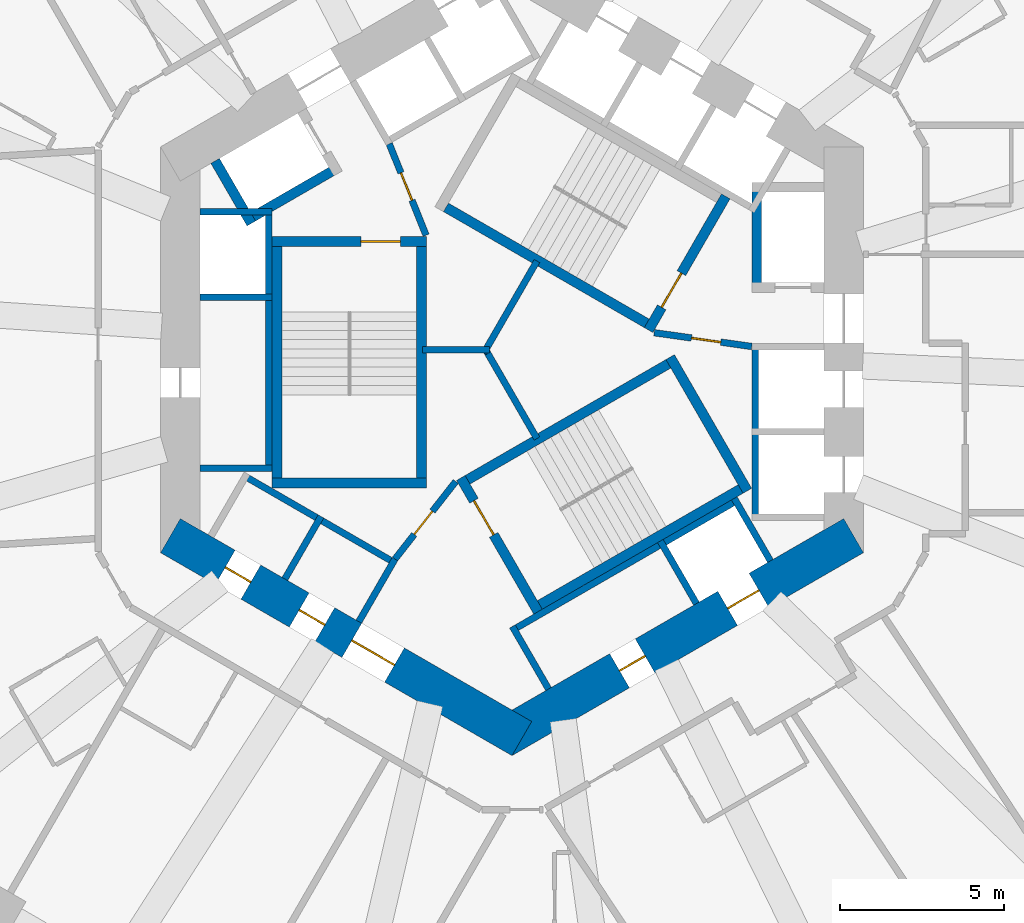
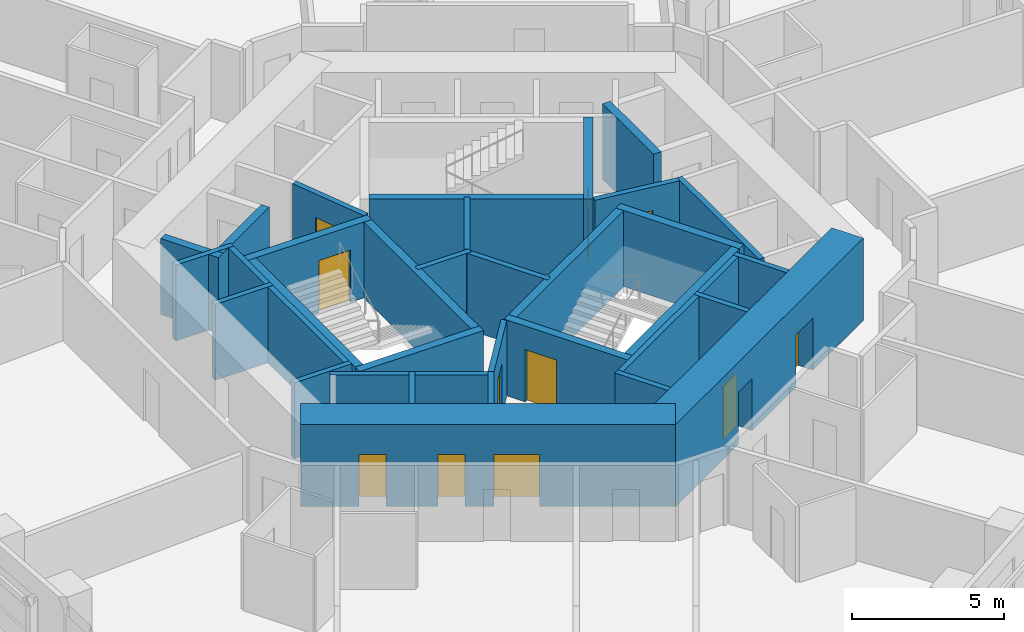
# One storey, part 5 of 12: 33 walls, 11 doors, 11 openings.
"""IFC4 building model written with IfcOpenShell, lengths in metres."""

from ifc_helpers import new_model, si_unit, direction, frame, frame_2d, origin, place, context, subcontext, project, spatial, rectangle, extrude, material, layer, layer_set, type_object, element, fill, save


model = new_model("IFC4")

# Units and contexts
model_context = context("Model", 3, precision=1e-05, world=origin(), true_north=direction((0.0, 1.0)))
body_context = subcontext(model_context, "Body", "Model", "MODEL_VIEW")
ifc_project = project(units=[si_unit("LENGTHUNIT", "METRE"), si_unit("AREAUNIT", "SQUARE_METRE"), si_unit("VOLUMEUNIT", "CUBIC_METRE"), si_unit("PLANEANGLEUNIT", "RADIAN"), si_unit("MASSUNIT", "GRAM", prefix="KILO")], contexts=[model_context])

# Site, building, storey
site_placement = place(None, origin())
site = spatial("IfcSite", under=ifc_project, at=site_placement, CompositionType="ELEMENT")
building_placement = place(site_placement, origin())
building = spatial("IfcBuilding", under=site, at=building_placement, Name="Vanh Sen Convention Tower", CompositionType="ELEMENT")
storey_placement = place(building_placement, frame((0.0, 0.0, 110.0)))
storey = spatial("IfcBuildingStorey", under=building, at=storey_placement, Name="L26", CompositionType="ELEMENT", Elevation=110.0)

# Wall, openings, doors
ifc_material_1 = material(Name="Concrete C80/95", Category="concrete")
ifc_layer_1 = layer(ifc_material_1, 1.199951171875)
ifc_layer_set_1 = layer_set([ifc_layer_1], Name="Concrete C80/95")
wall_type_1 = type_object("IfcWallType", Name="Core outer wall 1200 C80/95", PredefinedType="SHEAR", material=ifc_layer_set_1)
wall_1_placement = place(storey_placement, frame((-10.39990234375, -5.657958984375, 0.0), z_axis=(0.0, 0.0, 1.0), x_axis=(0.866021384402, -0.500006961711, 0.0)))
wall_1 = element("IfcWall", 1, at=wall_1_placement, inside=storey, type_object=wall_type_1, Name="Core wall face SW L26", PredefinedType="SHEAR", context=body_context, shape_type="SweptSolid", body=[
    extrude(rectangle(XDim=12.355224609375, YDim=1.199951171875, at=frame_2d((6.177734375, 0.0))), origin(), (0.0, 0.0, 1.0), 3.300048828125),
])
opening_1_placement = place(wall_1_placement, frame((6.377685546875, 0.0, 0.0)))
opening_1 = element("IfcOpeningElement", 2, at=opening_1_placement, cuts=wall_1, Name="Opening D25003", PredefinedType="OPENING", context=body_context, shape_type="SweptSolid", body=[
    extrude(rectangle(XDim=1.5, YDim=2.10009765625, at=frame_2d((0.75, 1.050048828125))), frame((0.0, 0.60986328125, 0.0), z_axis=(0.0, -1.0, 0.0), x_axis=(1.0, 0.0, 0.0)), (0.0, 0.0, 1.0), 1.219970703125),
])
opening_2_placement = place(wall_1_placement, frame((1.927734375, 0.0, 0.0)))
opening_2 = element("IfcOpeningElement", 3, at=opening_2_placement, cuts=wall_1, Name="Opening D25011", PredefinedType="OPENING", context=body_context, shape_type="SweptSolid", body=[
    extrude(rectangle(XDim=0.89990234375, YDim=2.10009765625, at=frame_2d((0.449951171875, 1.050048828125))), frame((0.0, 0.60986328125, 0.0), z_axis=(0.0, -1.0, 0.0), x_axis=(1.0, 0.0, 0.0)), (0.0, 0.0, 1.0), 1.219970703125),
])
opening_3_placement = place(wall_1_placement, frame((4.527587890625, 0.0, 0.0)))
opening_3 = element("IfcOpeningElement", 4, at=opening_3_placement, cuts=wall_1, Name="Opening D25012", PredefinedType="OPENING", context=body_context, shape_type="SweptSolid", body=[
    extrude(rectangle(XDim=0.89990234375, YDim=2.10009765625, at=frame_2d((0.449951171875, 1.050048828125))), frame((0.0, 0.60986328125, 0.0), z_axis=(0.0, -1.0, 0.0), x_axis=(1.0, 0.0, 0.0)), (0.0, 0.0, 1.0), 1.219970703125),
])
ifc_material_2 = material(Name="Steel S355", Category="steel")
door_type_1 = type_object("IfcDoorType", Name="Plant door 900", OperationType="SINGLE_SWING_LEFT", PredefinedType="DOOR", material=ifc_material_2)
door_1_placement = place(opening_2_placement, origin())
door_1 = element("IfcDoor", 5, at=door_1_placement, inside=storey, type_object=door_type_1, Name="Plant door D25011", OperationType="SINGLE_SWING_LEFT", OverallHeight=2.10009765625, OverallWidth=0.89990234375, PredefinedType="DOOR", context=body_context, shape_type="SweptSolid", body=[
    extrude(rectangle(XDim=0.89990234375, YDim=2.10009765625, at=frame_2d((0.449951171875, 1.050048828125))), frame((0.0, 0.02490234375, 0.0), z_axis=(0.0, -1.0, 0.0), x_axis=(1.0, 0.0, 0.0)), (0.0, 0.0, 1.0), 0.050048828125),
])
fill(opening_2, door_1)
door_2_placement = place(opening_3_placement, origin())
door_2 = element("IfcDoor", 6, at=door_2_placement, inside=storey, type_object=door_type_1, Name="Plant door D25012", OperationType="SINGLE_SWING_LEFT", OverallHeight=2.10009765625, OverallWidth=0.89990234375, PredefinedType="DOOR", context=body_context, shape_type="SweptSolid", body=[
    extrude(rectangle(XDim=0.89990234375, YDim=2.10009765625, at=frame_2d((0.449951171875, 1.050048828125))), frame((0.0, 0.02490234375, 0.0), z_axis=(0.0, -1.0, 0.0), x_axis=(1.0, 0.0, 0.0)), (0.0, 0.0, 1.0), 0.050048828125),
])
fill(opening_3, door_2)
door_type_2 = type_object("IfcDoorType", Name="Stair lobby door 1500", OperationType="DOUBLE_DOOR_SINGLE_SWING", PredefinedType="DOOR", material=ifc_material_2)
door_3_placement = place(opening_1_placement, origin())
door_3 = element("IfcDoor", 7, at=door_3_placement, inside=storey, type_object=door_type_2, Name="Stair lobby door D25003", OperationType="DOUBLE_DOOR_SINGLE_SWING", OverallHeight=2.10009765625, OverallWidth=1.5, PredefinedType="DOOR", context=body_context, shape_type="SweptSolid", body=[
    extrude(rectangle(XDim=1.5, YDim=2.10009765625, at=frame_2d((0.75, 1.050048828125))), frame((0.0, 0.02490234375, 0.0), z_axis=(0.0, -1.0, 0.0), x_axis=(1.0, 0.0, 0.0)), (0.0, 0.0, 1.0), 0.050048828125),
])
fill(opening_1, door_3)

wall_2_placement = place(storey_placement, frame((-0.300048828125, -11.835693359375, 0.0), z_axis=(0.0, 0.0, 1.0), x_axis=(0.866021384402, 0.500006961711, 0.0)))
wall_2 = element("IfcWall", 8, at=wall_2_placement, inside=storey, type_object=wall_type_1, Name="Core wall face SE L26", PredefinedType="SHEAR", context=body_context, shape_type="SweptSolid", body=[
    extrude(rectangle(XDim=12.355224609375, YDim=1.199951171875, at=frame_2d((6.177734375, 0.0))), origin(), (0.0, 0.0, 1.0), 3.300048828125),
])
opening_4_placement = place(wall_2_placement, frame((4.127685546875, 0.0, 0.0)))
opening_4 = element("IfcOpeningElement", 9, at=opening_4_placement, cuts=wall_2, Name="Opening D25013", PredefinedType="OPENING", context=body_context, shape_type="SweptSolid", body=[
    extrude(rectangle(XDim=0.89990234375, YDim=2.10009765625, at=frame_2d((0.449951171875, 1.050048828125))), frame((0.0, 0.60986328125, 0.0), z_axis=(0.0, -1.0, 0.0), x_axis=(1.0, 0.0, 0.0)), (0.0, 0.0, 1.0), 1.219970703125),
])
opening_5_placement = place(wall_2_placement, frame((7.927734375, 0.0, 0.0)))
opening_5 = element("IfcOpeningElement", 10, at=opening_5_placement, cuts=wall_2, Name="Opening LD-SV1", PredefinedType="OPENING", context=body_context, shape_type="SweptSolid", body=[
    extrude(rectangle(XDim=1.10009765625, YDim=2.10009765625, at=frame_2d((0.550048828125, 1.050048828125))), frame((0.0, 0.60986328125, 0.0), z_axis=(0.0, -1.0, 0.0), x_axis=(1.0, 0.0, 0.0)), (0.0, 0.0, 1.0), 1.219970703125),
])
ifc_material_3 = material(Name="Stainless steel", Category="steel")
door_type_3 = type_object("IfcDoorType", Name="Lift landing door 1100", OperationType="DOUBLE_DOOR_SLIDING", PredefinedType="DOOR", material=ifc_material_3)
door_4_placement = place(opening_5_placement, origin())
door_4 = element("IfcDoor", 11, at=door_4_placement, inside=storey, type_object=door_type_3, Name="Lift SV1 landing door LD-SV1", OperationType="DOUBLE_DOOR_SLIDING", OverallHeight=2.10009765625, OverallWidth=1.10009765625, PredefinedType="DOOR", context=body_context, shape_type="SweptSolid", body=[
    extrude(rectangle(XDim=1.10009765625, YDim=2.10009765625, at=frame_2d((0.550048828125, 1.050048828125))), frame((0.0, 0.02490234375, 0.0), z_axis=(0.0, -1.0, 0.0), x_axis=(1.0, 0.0, 0.0)), (0.0, 0.0, 1.0), 0.050048828125),
])
fill(opening_5, door_4)
door_5_placement = place(opening_4_placement, origin())
door_5 = element("IfcDoor", 12, at=door_5_placement, inside=storey, type_object=door_type_1, Name="Plant door D25013", OperationType="SINGLE_SWING_LEFT", OverallHeight=2.10009765625, OverallWidth=0.89990234375, PredefinedType="DOOR", context=body_context, shape_type="SweptSolid", body=[
    extrude(rectangle(XDim=0.89990234375, YDim=2.10009765625, at=frame_2d((0.449951171875, 1.050048828125))), frame((0.0, 0.02490234375, 0.0), z_axis=(0.0, -1.0, 0.0), x_axis=(1.0, 0.0, 0.0)), (0.0, 0.0, 1.0), 0.050048828125),
])
fill(opening_4, door_5)

# Walls
ifc_material_4 = material(Name="Masonry blockwork", Category="masonry")
ifc_layer_2 = layer(ifc_material_4, 0.199951171875)
ifc_layer_set_2 = layer_set([ifc_layer_2], Name="Masonry blockwork")
wall_type_2 = type_object("IfcWallType", Name="Core partition 200", PredefinedType="PARTITIONING", material=ifc_layer_set_2)
wall_3_placement = place(storey_placement, frame((-0.679931640625, 0.0, 0.0), z_axis=(0.0, 0.0, 1.0), x_axis=(-1.0, 0.0, 0.0)))
element("IfcWall", 13, at=wall_3_placement, inside=storey, type_object=wall_type_2, Name="Core partition L26", PredefinedType="PARTITIONING", context=body_context, shape_type="SweptSolid", body=[
    extrude(rectangle(XDim=2.0400390625, YDim=0.199951171875, at=frame_2d((1.02001953125, 0.0))), origin(), (0.0, 0.0, 1.0), 3.050048828125),
])
for number, where, z_axis, x_axis, name in (
    (14, (-0.860107421875, -0.10400390625, 0.0), (0.0, 0.0, 1.0), (0.500029011134, 0.866008653551, 0.0), "Core partition L26"),
    (15, (-0.860107421875, 0.10400390625, 0.0), (0.0, 0.0, 1.0), (0.500029011134, -0.866008653551, 0.0), "Core partition L26"),
):
    element("IfcWall", number, at=place(storey_placement, frame(where, z_axis=z_axis, x_axis=x_axis)), inside=storey, type_object=wall_type_2, Name=name, PredefinedType="PARTITIONING", context=body_context, shape_type="SweptSolid", body=[
        extrude(rectangle(XDim=3.239990234375, YDim=0.199951171875, at=frame_2d((1.6201171875, 0.0))), origin(), (0.0, 0.0, 1.0), 3.050048828125),
    ])
ifc_material_5 = material(Name="Concrete C60/75", Category="concrete")
ifc_layer_3 = layer(ifc_material_5, 0.300048828125)
ifc_layer_set_3 = layer_set([ifc_layer_3], Name="Concrete C60/75")
wall_type_3 = type_object("IfcWallType", Name="Fire-fighting lift shaft wall 300", PredefinedType="SHEAR", material=ifc_layer_set_3)
wall_4_placement = place(storey_placement, frame((7.449951171875, 1.75, 0.0), z_axis=(0.0, 0.0, 1.0), x_axis=(0.0, 1.0, 0.0)))
element("IfcWall", 16, at=wall_4_placement, inside=storey, type_object=wall_type_3, Name="Fire-fighting lift shaft wall L26", PredefinedType="SHEAR", context=body_context, shape_type="SweptSolid", body=[
    extrude(rectangle(XDim=3.35009765625, YDim=0.300048828125, at=frame_2d((1.675048828125, 0.0))), origin(), (0.0, 0.0, 1.0), 3.050048828125),
])
wall_5_placement = place(storey_placement, frame((-5.240478515625, 5.576904296875, 0.0), z_axis=(0.0, 0.0, 1.0), x_axis=(-0.866014461049, -0.500018952895, 0.0)))
element("IfcWall", 17, at=wall_5_placement, inside=storey, type_object=wall_type_3, Name="Fire-fighting lift shaft wall L26", PredefinedType="SHEAR", context=body_context, shape_type="SweptSolid", body=[
    extrude(rectangle(XDim=3.349853515625, YDim=0.300048828125, at=frame_2d((1.6748046875, 0.0))), origin(), (0.0, 0.0, 1.0), 3.050048828125),
])
wall_6_placement = place(storey_placement, frame((-7.936767578125, 3.846923828125, 0.0), z_axis=(0.0, 0.0, 1.0), x_axis=(-0.50002983664, 0.866008176907, 0.0)))
element("IfcWall", 18, at=wall_6_placement, inside=storey, type_object=wall_type_3, Name="Fire-fighting lift shaft wall L26", PredefinedType="SHEAR", context=body_context, shape_type="SweptSolid", body=[
    extrude(rectangle(XDim=2.199951171875, YDim=0.300048828125, at=frame_2d((1.10009765625, 0.0))), origin(), (0.0, 0.0, 1.0), 3.050048828125),
])
ifc_material_6 = material(Name="Concrete C40/50", Category="concrete")
ifc_layer_4 = layer(ifc_material_6, 0.199951171875)
ifc_layer_set_4 = layer_set([ifc_layer_4], Name="Concrete C40/50")
wall_type_4 = type_object("IfcWallType", Name="Lift shaft wall 200", PredefinedType="PARTITIONING", material=ifc_layer_set_4)
wall_7_placement = place(storey_placement, frame((7.39990234375, -5.199951171875, 0.0), z_axis=(0.0, 0.0, 1.0), x_axis=(0.0, 1.0, 0.0)))
element("IfcWall", 19, at=wall_7_placement, inside=storey, type_object=wall_type_4, Name="Lift shaft wall L26", PredefinedType="PARTITIONING", context=body_context, shape_type="SweptSolid", body=[
    extrude(rectangle(XDim=5.39990234375, YDim=0.199951171875, at=frame_2d((2.699951171875, 0.0))), origin(), (0.0, 0.0, 1.0), 3.050048828125),
])
wall_8_placement = place(storey_placement, frame((-7.39990234375, 4.300048828125, 0.0), z_axis=(0.0, 0.0, 1.0), x_axis=(0.0, -1.0, 0.0)))
element("IfcWall", 20, at=wall_8_placement, inside=storey, type_object=wall_type_4, Name="Lift shaft wall L26", PredefinedType="PARTITIONING", context=body_context, shape_type="SweptSolid", body=[
    extrude(rectangle(XDim=8.0, YDim=0.199951171875, at=frame_2d((4.0, 0.0))), origin(), (0.0, 0.0, 1.0), 3.050048828125),
])
for number, where, z_axis, x_axis, name in (
    (21, (-7.300048828125, 4.199951171875, 0.0), (0.0, 0.0, 1.0), (-1.0, 0.0, 0.0), "Lift shaft wall L26"),
    (22, (-7.300048828125, 1.60009765625, 0.0), (0.0, 0.0, 1.0), (-1.0, 0.0, 0.0), "Lift shaft wall L26"),
    (23, (-7.300048828125, -3.60009765625, 0.0), (0.0, 0.0, 1.0), (-1.0, 0.0, 0.0), "Lift shaft wall L26"),
):
    element("IfcWall", number, at=place(storey_placement, frame(where, z_axis=z_axis, x_axis=x_axis)), inside=storey, type_object=wall_type_4, Name=name, PredefinedType="PARTITIONING", context=body_context, shape_type="SweptSolid", body=[
        extrude(rectangle(XDim=2.199951171875, YDim=0.199951171875, at=frame_2d((1.10009765625, 0.0))), origin(), (0.0, 0.0, 1.0), 3.050048828125),
    ])
wall_9_placement = place(storey_placement, frame((-8.203369140625, -3.80859375, 0.0), z_axis=(0.0, 0.0, 1.0), x_axis=(0.866028230842, -0.499995103361, 0.0)))
element("IfcWall", 24, at=wall_9_placement, inside=storey, type_object=wall_type_4, Name="Lift shaft wall L26", PredefinedType="PARTITIONING", context=body_context, shape_type="SweptSolid", body=[
    extrude(rectangle(XDim=5.39990234375, YDim=0.199951171875, at=frame_2d((2.699951171875, 0.0))), origin(), (0.0, 0.0, 1.0), 3.050048828125),
])
wall_10_placement = place(storey_placement, frame((-5.815185546875, -5.072021484375, 0.0), z_axis=(0.0, 0.0, 1.0), x_axis=(-0.499946605688, -0.86605622881, 0.0)))
element("IfcWall", 25, at=wall_10_placement, inside=storey, type_object=wall_type_4, Name="Lift shaft wall L26", PredefinedType="PARTITIONING", context=body_context, shape_type="SweptSolid", body=[
    extrude(rectangle(XDim=2.199951171875, YDim=0.199951171875, at=frame_2d((1.10009765625, 0.0))), origin(), (0.0, 0.0, 1.0), 3.050048828125),
])
wall_11_placement = place(storey_placement, frame((-3.5634765625, -6.3720703125, 0.0), z_axis=(0.0, 0.0, 1.0), x_axis=(-0.499994660107, -0.866028486751, 0.0)))
element("IfcWall", 26, at=wall_11_placement, inside=storey, type_object=wall_type_4, Name="Lift shaft wall L26", PredefinedType="PARTITIONING", context=body_context, shape_type="SweptSolid", body=[
    extrude(rectangle(XDim=2.19970703125, YDim=0.199951171875, at=frame_2d((1.099853515625, 0.0))), origin(), (0.0, 0.0, 1.0), 3.050048828125),
])
wall_12_placement = place(storey_placement, frame((-0.02392578125, -8.55859375, 0.0), z_axis=(0.0, 0.0, 1.0), x_axis=(0.866026010844, 0.49999894854, 0.0)))
element("IfcWall", 27, at=wall_12_placement, inside=storey, type_object=wall_type_4, Name="Lift shaft wall L26", PredefinedType="PARTITIONING", context=body_context, shape_type="SweptSolid", body=[
    extrude(rectangle(XDim=8.0, YDim=0.199951171875, at=frame_2d((4.0, 0.0))), origin(), (0.0, 0.0, 1.0), 3.050048828125),
])
for number, where, z_axis, x_axis, name in (
    (28, (0.0126953125, -8.422119140625, 0.0), (0.0, 0.0, 1.0), (0.500077893725, -0.86598042715, 0.0), "Lift shaft wall L26"),
    (29, (4.51611328125, -5.822021484375, 0.0), (0.0, 0.0, 1.0), (0.499946605688, -0.86605622881, 0.0), "Lift shaft wall L26"),
    (30, (6.767578125, -4.52197265625, 0.0), (0.0, 0.0, 1.0), (0.50002983664, -0.866008176907, 0.0), "Lift shaft wall L26"),
):
    element("IfcWall", number, at=place(storey_placement, frame(where, z_axis=z_axis, x_axis=x_axis)), inside=storey, type_object=wall_type_4, Name=name, PredefinedType="PARTITIONING", context=body_context, shape_type="SweptSolid", body=[
        extrude(rectangle(XDim=2.199951171875, YDim=0.199951171875, at=frame_2d((1.10009765625, 0.0))), origin(), (0.0, 0.0, 1.0), 3.050048828125),
    ])

# Wall, opening, door
ifc_layer_5 = layer(ifc_material_6, 0.199951171875)
ifc_layer_set_5 = layer_set([ifc_layer_5], Name="Concrete C40/50")
wall_type_5 = type_object("IfcWallType", Name="Stair lobby wall 200", PredefinedType="PARTITIONING", material=ifc_layer_set_5)
wall_13_placement = place(storey_placement, frame((4.327392578125, 0.52099609375, 0.0), z_axis=(0.0, 0.0, 1.0), x_axis=(0.990124376366, -0.14019172346, 0.0)))
wall_13 = element("IfcWall", 31, at=wall_13_placement, inside=storey, type_object=wall_type_5, Name="Stair lobby wall L26", PredefinedType="PARTITIONING", context=body_context, shape_type="SweptSolid", body=[
    extrude(rectangle(XDim=3.002197265625, YDim=0.199951171875, at=frame_2d((1.5009765625, 0.0))), origin(), (0.0, 0.0, 1.0), 3.050048828125),
])
opening_6_placement = place(wall_13_placement, frame((1.14990234375, 0.0, 0.0)))
opening_6 = element("IfcOpeningElement", 32, at=opening_6_placement, cuts=wall_13, Name="Opening D25007", PredefinedType="OPENING", context=body_context, shape_type="SweptSolid", body=[
    extrude(rectangle(XDim=0.89990234375, YDim=2.10009765625, at=frame_2d((0.449951171875, 1.050048828125))), frame((0.0, 0.10986328125, 0.0), z_axis=(0.0, -1.0, 0.0), x_axis=(1.0, 0.0, 0.0)), (0.0, 0.0, 1.0), 0.219970703125),
])
door_6_placement = place(opening_6_placement, origin())
door_6 = element("IfcDoor", 33, at=door_6_placement, inside=storey, type_object=door_type_1, Name="Plant door D25007", OperationType="SINGLE_SWING_LEFT", OverallHeight=2.10009765625, OverallWidth=0.89990234375, PredefinedType="DOOR", context=body_context, shape_type="SweptSolid", body=[
    extrude(rectangle(XDim=0.89990234375, YDim=2.10009765625, at=frame_2d((0.449951171875, 1.050048828125))), frame((0.0, 0.02490234375, 0.0), z_axis=(0.0, -1.0, 0.0), x_axis=(1.0, 0.0, 0.0)), (0.0, 0.0, 1.0), 0.050048828125),
])
fill(opening_6, door_6)

wall_14_placement = place(storey_placement, frame((-2.614990234375, 3.487060546875, 0.0), z_axis=(0.0, 0.0, 1.0), x_axis=(-0.373576831041, 0.92759924068, 0.0)))
wall_14 = element("IfcWall", 34, at=wall_14_placement, inside=storey, type_object=wall_type_5, Name="Stair lobby wall L26", PredefinedType="PARTITIONING", context=body_context, shape_type="SweptSolid", body=[
    extrude(rectangle(XDim=3.002197265625, YDim=0.199951171875, at=frame_2d((1.5009765625, 0.0))), origin(), (0.0, 0.0, 1.0), 3.050048828125),
])
opening_7_placement = place(wall_14_placement, frame((1.14990234375, 0.0, 0.0)))
opening_7 = element("IfcOpeningElement", 35, at=opening_7_placement, cuts=wall_14, Name="Opening D25008", PredefinedType="OPENING", context=body_context, shape_type="SweptSolid", body=[
    extrude(rectangle(XDim=0.89990234375, YDim=2.10009765625, at=frame_2d((0.449951171875, 1.050048828125))), frame((0.0, 0.10986328125, 0.0), z_axis=(0.0, -1.0, 0.0), x_axis=(1.0, 0.0, 0.0)), (0.0, 0.0, 1.0), 0.219970703125),
])
door_7_placement = place(opening_7_placement, origin())
door_7 = element("IfcDoor", 36, at=door_7_placement, inside=storey, type_object=door_type_1, Name="Plant door D25008", OperationType="SINGLE_SWING_LEFT", OverallHeight=2.10009765625, OverallWidth=0.89990234375, PredefinedType="DOOR", context=body_context, shape_type="SweptSolid", body=[
    extrude(rectangle(XDim=0.89990234375, YDim=2.10009765625, at=frame_2d((0.449951171875, 1.050048828125))), frame((0.0, 0.02490234375, 0.0), z_axis=(0.0, -1.0, 0.0), x_axis=(1.0, 0.0, 0.0)), (0.0, 0.0, 1.0), 0.050048828125),
])
fill(opening_7, door_7)

wall_15_placement = place(storey_placement, frame((-1.71240234375, -4.00830078125, 0.0), z_axis=(0.0, 0.0, 1.0), x_axis=(-0.616549420702, -0.787316208287, 0.0)))
wall_15 = element("IfcWall", 37, at=wall_15_placement, inside=storey, type_object=wall_type_5, Name="Stair lobby wall L26", PredefinedType="PARTITIONING", context=body_context, shape_type="SweptSolid", body=[
    extrude(rectangle(XDim=3.002197265625, YDim=0.199951171875, at=frame_2d((1.5009765625, 0.0))), origin(), (0.0, 0.0, 1.0), 3.050048828125),
])
opening_8_placement = place(wall_15_placement, frame((1.14990234375, 0.0, 0.0)))
opening_8 = element("IfcOpeningElement", 38, at=opening_8_placement, cuts=wall_15, Name="Opening D25009", PredefinedType="OPENING", context=body_context, shape_type="SweptSolid", body=[
    extrude(rectangle(XDim=0.89990234375, YDim=2.10009765625, at=frame_2d((0.449951171875, 1.050048828125))), frame((0.0, 0.10986328125, 0.0), z_axis=(0.0, -1.0, 0.0), x_axis=(1.0, 0.0, 0.0)), (0.0, 0.0, 1.0), 0.219970703125),
])
door_8_placement = place(opening_8_placement, origin())
door_8 = element("IfcDoor", 39, at=door_8_placement, inside=storey, type_object=door_type_1, Name="Plant door D25009", OperationType="SINGLE_SWING_LEFT", OverallHeight=2.10009765625, OverallWidth=0.89990234375, PredefinedType="DOOR", context=body_context, shape_type="SweptSolid", body=[
    extrude(rectangle(XDim=0.89990234375, YDim=2.10009765625, at=frame_2d((0.449951171875, 1.050048828125))), frame((0.0, 0.02490234375, 0.0), z_axis=(0.0, -1.0, 0.0), x_axis=(1.0, 0.0, 0.0)), (0.0, 0.0, 1.0), 0.050048828125),
])
fill(opening_8, door_8)

ifc_layer_6 = layer(ifc_material_5, 0.300048828125)
ifc_layer_set_6 = layer_set([ifc_layer_6], Name="Concrete C60/75")
wall_type_6 = type_object("IfcWallType", Name="Stair wall 300", PredefinedType="SHEAR", material=ifc_layer_set_6)
wall_16_placement = place(storey_placement, frame((4.157958984375, 0.601806640625, 0.0), z_axis=(0.0, 0.0, 1.0), x_axis=(0.499977259774, 0.866038532462, 0.0)))
wall_16 = element("IfcWall", 40, at=wall_16_placement, inside=storey, type_object=wall_type_6, Name="Stair wall L26", PredefinedType="SHEAR", context=body_context, shape_type="SweptSolid", body=[
    extrude(rectangle(XDim=4.699951171875, YDim=0.300048828125, at=frame_2d((2.35009765625, 0.0))), origin(), (0.0, 0.0, 1.0), 3.050048828125),
])
opening_9_placement = place(wall_16_placement, frame((0.800048828125, 0.0, 0.0)))
opening_9 = element("IfcOpeningElement", 41, at=opening_9_placement, cuts=wall_16, Name="Opening D25004", PredefinedType="OPENING", context=body_context, shape_type="SweptSolid", body=[
    extrude(rectangle(XDim=1.199951171875, YDim=2.10009765625, at=frame_2d((0.60009765625, 1.050048828125))), frame((0.0, 0.159912109375, 0.0), z_axis=(0.0, -1.0, 0.0), x_axis=(1.0, 0.0, 0.0)), (0.0, 0.0, 1.0), 0.320068359375),
])
door_type_4 = type_object("IfcDoorType", Name="Stair door 1200", OperationType="SINGLE_SWING_RIGHT", PredefinedType="DOOR", material=ifc_material_2)
door_9_placement = place(opening_9_placement, origin())
door_9 = element("IfcDoor", 42, at=door_9_placement, inside=storey, type_object=door_type_4, Name="Stair ST1 door D25004", OperationType="SINGLE_SWING_RIGHT", OverallHeight=2.10009765625, OverallWidth=1.199951171875, PredefinedType="DOOR", context=body_context, shape_type="SweptSolid", body=[
    extrude(rectangle(XDim=1.199951171875, YDim=2.10009765625, at=frame_2d((0.60009765625, 1.050048828125))), frame((0.0, 0.02490234375, 0.0), z_axis=(0.0, -1.0, 0.0), x_axis=(1.0, 0.0, 0.0)), (0.0, 0.0, 1.0), 0.050048828125),
])
fill(opening_9, door_9)

# Wall
wall_17_placement = place(storey_placement, frame((4.10302734375, 0.806640625, 0.0), z_axis=(0.0, 0.0, 1.0), x_axis=(-0.866027801685, 0.499995846692, 0.0)))
element("IfcWall", 43, at=wall_17_placement, inside=storey, type_object=wall_type_6, Name="Stair wall L26", PredefinedType="SHEAR", context=body_context, shape_type="SweptSolid", body=[
    extrude(rectangle(XDim=7.06005859375, YDim=0.300048828125, at=frame_2d((3.530029296875, 0.0))), origin(), (0.0, 0.0, 1.0), 3.050048828125),
])

# Wall, opening, door
wall_18_placement = place(storey_placement, frame((-2.60009765625, 3.300048828125, 0.0), z_axis=(0.0, 0.0, 1.0), x_axis=(-1.0, 0.0, 0.0)))
wall_18 = element("IfcWall", 44, at=wall_18_placement, inside=storey, type_object=wall_type_6, Name="Stair wall L26", PredefinedType="SHEAR", context=body_context, shape_type="SweptSolid", body=[
    extrude(rectangle(XDim=4.699951171875, YDim=0.300048828125, at=frame_2d((2.35009765625, 0.0))), origin(), (0.0, 0.0, 1.0), 3.050048828125),
])
opening_10_placement = place(wall_18_placement, frame((0.800048828125, 0.0, 0.0)))
opening_10 = element("IfcOpeningElement", 45, at=opening_10_placement, cuts=wall_18, Name="Opening D25005", PredefinedType="OPENING", context=body_context, shape_type="SweptSolid", body=[
    extrude(rectangle(XDim=1.199951171875, YDim=2.10009765625, at=frame_2d((0.60009765625, 1.050048828125))), frame((0.0, 0.159912109375, 0.0), z_axis=(0.0, -1.0, 0.0), x_axis=(1.0, 0.0, 0.0)), (0.0, 0.0, 1.0), 0.320068359375),
])
door_10_placement = place(opening_10_placement, origin())
door_10 = element("IfcDoor", 46, at=door_10_placement, inside=storey, type_object=door_type_4, Name="Stair ST2 door D25005", OperationType="SINGLE_SWING_RIGHT", OverallHeight=2.10009765625, OverallWidth=1.199951171875, PredefinedType="DOOR", context=body_context, shape_type="SweptSolid", body=[
    extrude(rectangle(XDim=1.199951171875, YDim=2.10009765625, at=frame_2d((0.60009765625, 1.050048828125))), frame((0.0, 0.02490234375, 0.0), z_axis=(0.0, -1.0, 0.0), x_axis=(1.0, 0.0, 0.0)), (0.0, 0.0, 1.0), 0.050048828125),
])
fill(opening_10, door_10)

# Walls
wall_19_placement = place(storey_placement, frame((-2.60009765625, -4.06005859375, 0.0), z_axis=(0.0, 0.0, 1.0), x_axis=(-1.0, 0.0, 0.0)))
element("IfcWall", 47, at=wall_19_placement, inside=storey, type_object=wall_type_6, Name="Stair wall L26", PredefinedType="SHEAR", context=body_context, shape_type="SweptSolid", body=[
    extrude(rectangle(XDim=4.699951171875, YDim=0.300048828125, at=frame_2d((2.35009765625, 0.0))), origin(), (0.0, 0.0, 1.0), 3.050048828125),
])
for number, where, z_axis, x_axis, name in (
    (48, (-2.75, 3.14990234375, 0.0), (0.0, 0.0, 1.0), (0.0, -1.0, 0.0), "Stair wall L26"),
    (49, (-7.14990234375, 3.14990234375, 0.0), (0.0, 0.0, 1.0), (0.0, -1.0, 0.0), "Stair wall L26"),
):
    element("IfcWall", number, at=place(storey_placement, frame(where, z_axis=z_axis, x_axis=x_axis)), inside=storey, type_object=wall_type_6, Name=name, PredefinedType="SHEAR", context=body_context, shape_type="SweptSolid", body=[
        extrude(rectangle(XDim=7.059814453125, YDim=0.300048828125, at=frame_2d((3.52978515625, 0.0))), origin(), (0.0, 0.0, 1.0), 3.050048828125),
    ])

# Wall, opening, door
wall_20_placement = place(storey_placement, frame((-1.557861328125, -3.901611328125, 0.0), z_axis=(0.0, 0.0, 1.0), x_axis=(0.499977259774, -0.866038532462, 0.0)))
wall_20 = element("IfcWall", 50, at=wall_20_placement, inside=storey, type_object=wall_type_6, Name="Stair wall L26", PredefinedType="SHEAR", context=body_context, shape_type="SweptSolid", body=[
    extrude(rectangle(XDim=4.699951171875, YDim=0.300048828125, at=frame_2d((2.35009765625, 0.0))), origin(), (0.0, 0.0, 1.0), 3.050048828125),
])
opening_11_placement = place(wall_20_placement, frame((0.800048828125, 0.0, 0.0)))
opening_11 = element("IfcOpeningElement", 51, at=opening_11_placement, cuts=wall_20, Name="Opening D25006", PredefinedType="OPENING", context=body_context, shape_type="SweptSolid", body=[
    extrude(rectangle(XDim=1.199951171875, YDim=2.10009765625, at=frame_2d((0.60009765625, 1.050048828125))), frame((0.0, 0.159912109375, 0.0), z_axis=(0.0, -1.0, 0.0), x_axis=(1.0, 0.0, 0.0)), (0.0, 0.0, 1.0), 0.320068359375),
])
door_11_placement = place(opening_11_placement, origin())
door_11 = element("IfcDoor", 52, at=door_11_placement, inside=storey, type_object=door_type_4, Name="Stair ST3 door D25006", OperationType="SINGLE_SWING_RIGHT", OverallHeight=2.10009765625, OverallWidth=1.199951171875, PredefinedType="DOOR", context=body_context, shape_type="SweptSolid", body=[
    extrude(rectangle(XDim=1.199951171875, YDim=2.10009765625, at=frame_2d((0.60009765625, 1.050048828125))), frame((0.0, 0.02490234375, 0.0), z_axis=(0.0, -1.0, 0.0), x_axis=(1.0, 0.0, 0.0)), (0.0, 0.0, 1.0), 0.050048828125),
])
fill(opening_11, door_11)

# Walls
wall_21_placement = place(storey_placement, frame((4.816162109375, -0.2216796875, 0.0), z_axis=(0.0, 0.0, 1.0), x_axis=(0.499977259774, -0.866038532462, 0.0)))
element("IfcWall", 53, at=wall_21_placement, inside=storey, type_object=wall_type_6, Name="Stair wall L26", PredefinedType="SHEAR", context=body_context, shape_type="SweptSolid", body=[
    extrude(rectangle(XDim=4.699951171875, YDim=0.300048828125, at=frame_2d((2.35009765625, 0.0))), origin(), (0.0, 0.0, 1.0), 3.050048828125),
])
for number, where, z_axis, x_axis, name in (
    (54, (-1.35302734375, -3.95654296875, 0.0), (0.0, 0.0, 1.0), (0.866027801685, 0.499995846692, 0.0), "Stair wall L26"),
    (55, (0.846923828125, -7.76708984375, 0.0), (0.0, 0.0, 1.0), (0.866027801685, 0.499995846692, 0.0), "Stair wall L26"),
):
    element("IfcWall", number, at=place(storey_placement, frame(where, z_axis=z_axis, x_axis=x_axis)), inside=storey, type_object=wall_type_6, Name=name, PredefinedType="SHEAR", context=body_context, shape_type="SweptSolid", body=[
        extrude(rectangle(XDim=7.06005859375, YDim=0.300048828125, at=frame_2d((3.530029296875, 0.0))), origin(), (0.0, 0.0, 1.0), 3.050048828125),
    ])

save(model, "model.ifc")
